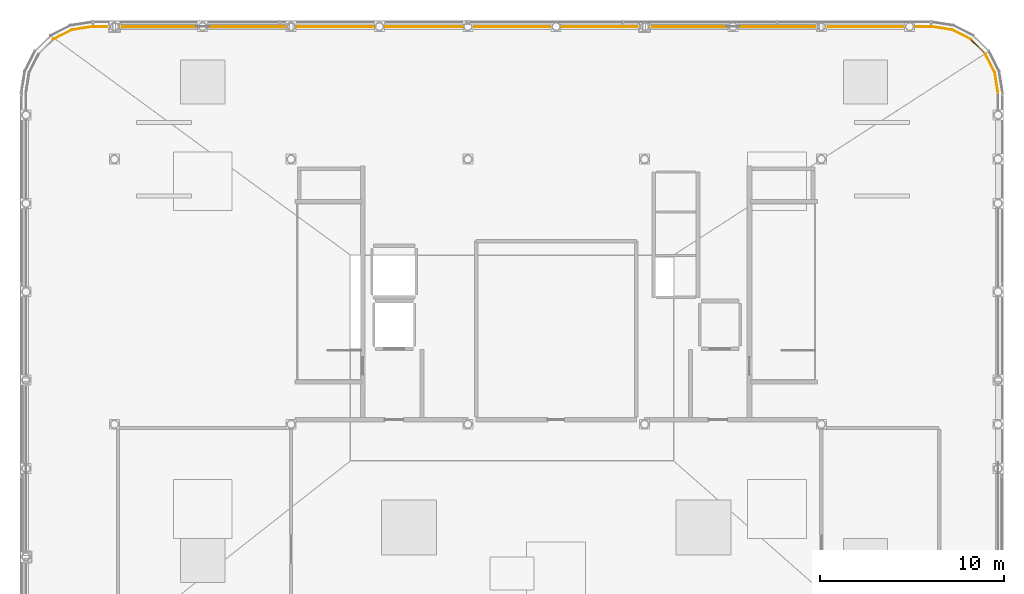
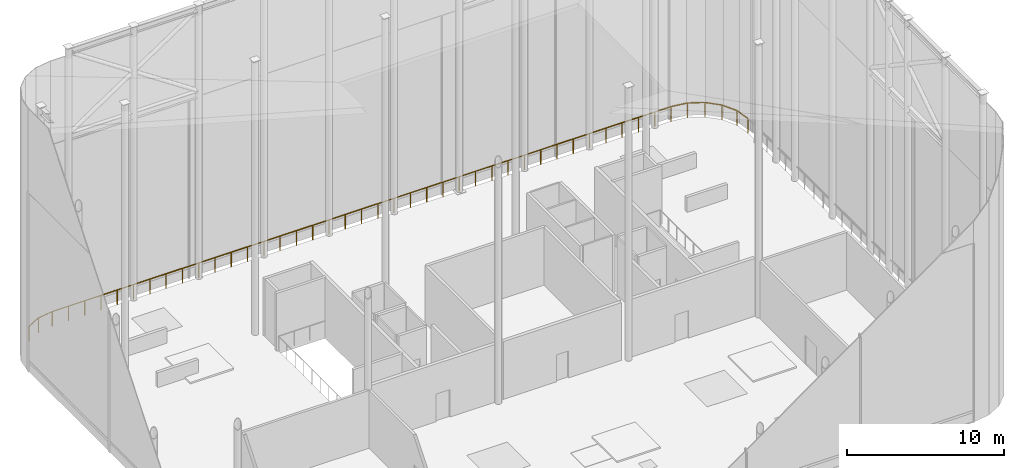
# One storey, part 42 of 42: 8 railings.
"""IFC4 building model written with IfcOpenShell, lengths in metres."""

from ifc_helpers import new_model, si_unit, direction, frame, origin, origin_2d, place, context, subcontext, project, spatial, circle, extrude, material, layer, layer_set, type_object, element, save


model = new_model("IFC4")

# Units and contexts
model_context = context("Model", 3, precision=1e-05, world=origin(), true_north=direction((0.0, 1.0)))
body_context = subcontext(model_context, "Body", "Model", "MODEL_VIEW")
ifc_project = project(units=[si_unit("LENGTHUNIT", "METRE"), si_unit("AREAUNIT", "SQUARE_METRE"), si_unit("VOLUMEUNIT", "CUBIC_METRE"), si_unit("PLANEANGLEUNIT", "RADIAN"), si_unit("MASSUNIT", "GRAM", prefix="KILO")], contexts=[model_context])

# Site, building, storey
site_placement = place(None, origin())
site = spatial("IfcSite", under=ifc_project, at=site_placement, CompositionType="ELEMENT")
building_placement = place(site_placement, origin())
building = spatial("IfcBuilding", under=site, at=building_placement, Name="Kallvorn Hotel Tower", CompositionType="ELEMENT")
storey_placement = place(building_placement, frame((0.0, 0.0, 306.0)))
storey = spatial("IfcBuildingStorey", under=building, at=storey_placement, Name="ROOF", CompositionType="ELEMENT", Elevation=306.0)

# Railings
ifc_material = material(Name="Galvanised painted steel S275JR balustrade", Category="steel")
ifc_layer = layer(ifc_material, 0.06005859375)
ifc_layer_set = layer_set([ifc_layer], Name="RL_WIND_GUARD_1150")
railing_type = type_object("IfcRailingType", Name="RL_WIND_GUARD_1150", PredefinedType="GUARDRAIL", material=ifc_layer_set)
railing_1_placement = place(storey_placement, frame((24.0, 10.800048828125, 0.0)))
element("IfcRailing", 1, at=railing_1_placement, inside=storey, type_object=railing_type, Name="ROOF Exterior Safety Guardrail ROOF-PERIM-07", PredefinedType="GUARDRAIL", context=body_context, shape_type="SweptSolid", body=[
    extrude(circle(Radius=0.02392578125, at=origin_2d()), frame((0.0, 0.0, 1.1259765625), z_axis=(-0.15648565443, 0.987680231632, 0.0), x_axis=(-0.987680231632, -0.15648565443, 0.0)), (0.0, 0.0, 1.0), 1.12646484375),
    extrude(circle(Radius=0.02099609375, at=origin_2d()), origin(), (0.0, 0.0, 1.0), 1.101806640625),
    extrude(circle(Radius=0.02099609375, at=origin_2d()), frame((-0.17626953125, 1.112548828125, 0.0)), (0.0, 0.0, 1.0), 1.101806640625),
])
railing_2_placement = place(storey_placement, frame((23.82373046875, 11.91259765625, 0.0)))
element("IfcRailing", 2, at=railing_2_placement, inside=storey, type_object=railing_type, Name="ROOF Exterior Safety Guardrail ROOF-PERIM-08", PredefinedType="GUARDRAIL", context=body_context, shape_type="SweptSolid", body=[
    extrude(circle(Radius=0.02392578125, at=origin_2d()), frame((0.0, 0.0, 1.1259765625), z_axis=(-0.453964752271, 0.89101964271, 0.0), x_axis=(-0.89101964271, -0.453964752271, 0.0)), (0.0, 0.0, 1.0), 1.126220703125),
    extrude(circle(Radius=0.02099609375, at=origin_2d()), origin(), (0.0, 0.0, 1.0), 1.101806640625),
    extrude(circle(Radius=0.02099609375, at=origin_2d()), frame((-0.51123046875, 1.00341796875, 0.0)), (0.0, 0.0, 1.0), 1.101806640625),
])
railing_3_placement = place(storey_placement, frame((23.3125, 12.916015625, 0.0)))
element("IfcRailing", 3, at=railing_3_placement, inside=storey, type_object=railing_type, Name="ROOF Exterior Safety Guardrail ROOF-PERIM-09", PredefinedType="GUARDRAIL", context=body_context, shape_type="SweptSolid", body=[
    extrude(circle(Radius=0.02392578125, at=origin_2d()), frame((0.0, 0.0, 1.1259765625), z_axis=(-0.707106781187, 0.707106781187, 0.0), x_axis=(-0.707106781187, -0.707106781187, 0.0)), (0.0, 0.0, 1.0), 1.126220703125),
    extrude(circle(Radius=0.02099609375, at=origin_2d()), origin(), (0.0, 0.0, 1.0), 1.101806640625),
    extrude(circle(Radius=0.02099609375, at=origin_2d()), frame((-0.79638671875, 0.79638671875, 0.0)), (0.0, 0.0, 1.0), 1.101806640625),
])
railing_4_placement = place(storey_placement, frame((22.51611328125, 13.71240234375, 0.0)))
element("IfcRailing", 4, at=railing_4_placement, inside=storey, type_object=railing_type, Name="ROOF Exterior Safety Guardrail ROOF-PERIM-10", PredefinedType="GUARDRAIL", context=body_context, shape_type="SweptSolid", body=[
    extrude(circle(Radius=0.02392578125, at=origin_2d()), frame((0.0, 0.0, 1.1259765625), z_axis=(-0.890976637871, 0.454049150168, 0.0), x_axis=(-0.454049150168, -0.890976637871, 0.0)), (0.0, 0.0, 1.0), 1.12646484375),
    extrude(circle(Radius=0.02099609375, at=origin_2d()), origin(), (0.0, 0.0, 1.0), 1.101806640625),
    extrude(circle(Radius=0.02099609375, at=origin_2d()), frame((-1.003662109375, 0.511474609375, 0.0)), (0.0, 0.0, 1.0), 1.101806640625),
])
railing_5_placement = place(storey_placement, frame((21.512451171875, 14.223876953125, 0.0)))
element("IfcRailing", 5, at=railing_5_placement, inside=storey, type_object=railing_type, Name="ROOF Exterior Safety Guardrail ROOF-PERIM-11", PredefinedType="GUARDRAIL", context=body_context, shape_type="SweptSolid", body=[
    extrude(circle(Radius=0.02392578125, at=origin_2d()), frame((0.0, 0.0, 1.1259765625), z_axis=(-0.987713708857, 0.156274212, 0.0), x_axis=(-0.156274212, -0.987713708857, 0.0)), (0.0, 0.0, 1.0), 1.12646484375),
    extrude(circle(Radius=0.02099609375, at=origin_2d()), origin(), (0.0, 0.0, 1.0), 1.101806640625),
    extrude(circle(Radius=0.02099609375, at=origin_2d()), frame((-1.112548828125, 0.176025390625, 0.0)), (0.0, 0.0, 1.0), 1.101806640625),
])
railing_6_placement = place(storey_placement, frame((20.39990234375, 14.39990234375, 0.0)))
element("IfcRailing", 6, at=railing_6_placement, inside=storey, type_object=railing_type, Name="ROOF Exterior Safety Guardrail ROOF-PERIM-12", PredefinedType="GUARDRAIL", context=body_context, shape_type="SweptSolid", body=[
    extrude(circle(Radius=0.02392578125, at=origin_2d()), frame((0.0, 0.0, 1.1259765625), z_axis=(-1.0, 0.0, 0.0), x_axis=(0.0, -1.0, 0.0)), (0.0, 0.0, 1.0), 45.599853515625),
    extrude(circle(Radius=0.02099609375, at=origin_2d()), origin(), (0.0, 0.0, 1.0), 1.101806640625),
    extrude(circle(Radius=0.02099609375, at=origin_2d()), frame((-1.199951171875, 0.0, 0.0)), (0.0, 0.0, 1.0), 1.101806640625),
    extrude(circle(Radius=0.02099609375, at=origin_2d()), frame((-2.39990234375, 0.0, 0.0)), (0.0, 0.0, 1.0), 1.101806640625),
    extrude(circle(Radius=0.02099609375, at=origin_2d()), frame((-3.60009765625, 0.0, 0.0)), (0.0, 0.0, 1.0), 1.101806640625),
    extrude(circle(Radius=0.02099609375, at=origin_2d()), frame((-4.800048828125, 0.0, 0.0)), (0.0, 0.0, 1.0), 1.101806640625),
    extrude(circle(Radius=0.02099609375, at=origin_2d()), frame((-6.0, 0.0, 0.0)), (0.0, 0.0, 1.0), 1.101806640625),
    extrude(circle(Radius=0.02099609375, at=origin_2d()), frame((-7.199951171875, 0.0, 0.0)), (0.0, 0.0, 1.0), 1.101806640625),
    extrude(circle(Radius=0.02099609375, at=origin_2d()), frame((-8.39990234375, 0.0, 0.0)), (0.0, 0.0, 1.0), 1.101806640625),
    extrude(circle(Radius=0.02099609375, at=origin_2d()), frame((-9.599853515625, 0.0, 0.0)), (0.0, 0.0, 1.0), 1.101806640625),
    extrude(circle(Radius=0.02099609375, at=origin_2d()), frame((-10.800048828125, 0.0, 0.0)), (0.0, 0.0, 1.0), 1.101806640625),
    extrude(circle(Radius=0.02099609375, at=origin_2d()), frame((-12.0, 0.0, 0.0)), (0.0, 0.0, 1.0), 1.101806640625),
    extrude(circle(Radius=0.02099609375, at=origin_2d()), frame((-13.199951171875, 0.0, 0.0)), (0.0, 0.0, 1.0), 1.101806640625),
    extrude(circle(Radius=0.02099609375, at=origin_2d()), frame((-14.39990234375, 0.0, 0.0)), (0.0, 0.0, 1.0), 1.101806640625),
    extrude(circle(Radius=0.02099609375, at=origin_2d()), frame((-15.599853515625, 0.0, 0.0)), (0.0, 0.0, 1.0), 1.101806640625),
    extrude(circle(Radius=0.02099609375, at=origin_2d()), frame((-16.800048828125, 0.0, 0.0)), (0.0, 0.0, 1.0), 1.101806640625),
    extrude(circle(Radius=0.02099609375, at=origin_2d()), frame((-18.0, 0.0, 0.0)), (0.0, 0.0, 1.0), 1.101806640625),
    extrude(circle(Radius=0.02099609375, at=origin_2d()), frame((-19.199951171875, 0.0, 0.0)), (0.0, 0.0, 1.0), 1.101806640625),
    extrude(circle(Radius=0.02099609375, at=origin_2d()), frame((-20.39990234375, 0.0, 0.0)), (0.0, 0.0, 1.0), 1.101806640625),
    extrude(circle(Radius=0.02099609375, at=origin_2d()), frame((-21.599853515625, 0.0, 0.0)), (0.0, 0.0, 1.0), 1.101806640625),
    extrude(circle(Radius=0.02099609375, at=origin_2d()), frame((-22.7998046875, 0.0, 0.0)), (0.0, 0.0, 1.0), 1.101806640625),
    extrude(circle(Radius=0.02099609375, at=origin_2d()), frame((-24.0, 0.0, 0.0)), (0.0, 0.0, 1.0), 1.101806640625),
    extrude(circle(Radius=0.02099609375, at=origin_2d()), frame((-25.199951171875, 0.0, 0.0)), (0.0, 0.0, 1.0), 1.101806640625),
    extrude(circle(Radius=0.02099609375, at=origin_2d()), frame((-26.39990234375, 0.0, 0.0)), (0.0, 0.0, 1.0), 1.101806640625),
    extrude(circle(Radius=0.02099609375, at=origin_2d()), frame((-27.599853515625, 0.0, 0.0)), (0.0, 0.0, 1.0), 1.101806640625),
    extrude(circle(Radius=0.02099609375, at=origin_2d()), frame((-28.7998046875, 0.0, 0.0)), (0.0, 0.0, 1.0), 1.101806640625),
    extrude(circle(Radius=0.02099609375, at=origin_2d()), frame((-30.0, 0.0, 0.0)), (0.0, 0.0, 1.0), 1.101806640625),
    extrude(circle(Radius=0.02099609375, at=origin_2d()), frame((-31.199951171875, 0.0, 0.0)), (0.0, 0.0, 1.0), 1.101806640625),
    extrude(circle(Radius=0.02099609375, at=origin_2d()), frame((-32.39990234375, 0.0, 0.0)), (0.0, 0.0, 1.0), 1.101806640625),
    extrude(circle(Radius=0.02099609375, at=origin_2d()), frame((-33.599853515625, 0.0, 0.0)), (0.0, 0.0, 1.0), 1.101806640625),
    extrude(circle(Radius=0.02099609375, at=origin_2d()), frame((-34.7998046875, 0.0, 0.0)), (0.0, 0.0, 1.0), 1.101806640625),
    extrude(circle(Radius=0.02099609375, at=origin_2d()), frame((-36.0, 0.0, 0.0)), (0.0, 0.0, 1.0), 1.101806640625),
    extrude(circle(Radius=0.02099609375, at=origin_2d()), frame((-37.199951171875, 0.0, 0.0)), (0.0, 0.0, 1.0), 1.101806640625),
    extrude(circle(Radius=0.02099609375, at=origin_2d()), frame((-38.39990234375, 0.0, 0.0)), (0.0, 0.0, 1.0), 1.101806640625),
    extrude(circle(Radius=0.02099609375, at=origin_2d()), frame((-39.599853515625, 0.0, 0.0)), (0.0, 0.0, 1.0), 1.101806640625),
    extrude(circle(Radius=0.02099609375, at=origin_2d()), frame((-40.7998046875, 0.0, 0.0)), (0.0, 0.0, 1.0), 1.101806640625),
    extrude(circle(Radius=0.02099609375, at=origin_2d()), frame((-41.999755859375, 0.0, 0.0)), (0.0, 0.0, 1.0), 1.101806640625),
    extrude(circle(Radius=0.02099609375, at=origin_2d()), frame((-43.199951171875, 0.0, 0.0)), (0.0, 0.0, 1.0), 1.101806640625),
    extrude(circle(Radius=0.02099609375, at=origin_2d()), frame((-44.39990234375, 0.0, 0.0)), (0.0, 0.0, 1.0), 1.101806640625),
    extrude(circle(Radius=0.02099609375, at=origin_2d()), frame((-45.599853515625, 0.0, 0.0)), (0.0, 0.0, 1.0), 1.101806640625),
])
railing_7_placement = place(storey_placement, frame((-25.199951171875, 14.39990234375, 0.0)))
element("IfcRailing", 7, at=railing_7_placement, inside=storey, type_object=railing_type, Name="ROOF Exterior Safety Guardrail ROOF-PERIM-13", PredefinedType="GUARDRAIL", context=body_context, shape_type="SweptSolid", body=[
    extrude(circle(Radius=0.02392578125, at=origin_2d()), frame((0.0, 0.0, 1.1259765625), z_axis=(-0.987713708857, -0.156274212, 0.0), x_axis=(0.156274212, -0.987713708857, 0.0)), (0.0, 0.0, 1.0), 1.12646484375),
    extrude(circle(Radius=0.02099609375, at=origin_2d()), origin(), (0.0, 0.0, 1.0), 1.101806640625),
    extrude(circle(Radius=0.02099609375, at=origin_2d()), frame((-1.112548828125, -0.176025390625, 0.0)), (0.0, 0.0, 1.0), 1.101806640625),
])
railing_8_placement = place(storey_placement, frame((-26.3125, 14.223876953125, 0.0)))
element("IfcRailing", 8, at=railing_8_placement, inside=storey, type_object=railing_type, Name="ROOF Exterior Safety Guardrail ROOF-PERIM-14", PredefinedType="GUARDRAIL", context=body_context, shape_type="SweptSolid", body=[
    extrude(circle(Radius=0.02392578125, at=origin_2d()), frame((0.0, 0.0, 1.1259765625), z_axis=(-0.890931943752, -0.454136842375, 0.0), x_axis=(0.454136842375, -0.890931943752, 0.0)), (0.0, 0.0, 1.0), 1.126220703125),
    extrude(circle(Radius=0.02099609375, at=origin_2d()), origin(), (0.0, 0.0, 1.0), 1.101806640625),
    extrude(circle(Radius=0.02099609375, at=origin_2d()), frame((-1.00341796875, -0.511474609375, 0.0)), (0.0, 0.0, 1.0), 1.101806640625),
])

save(model, "model.ifc")
